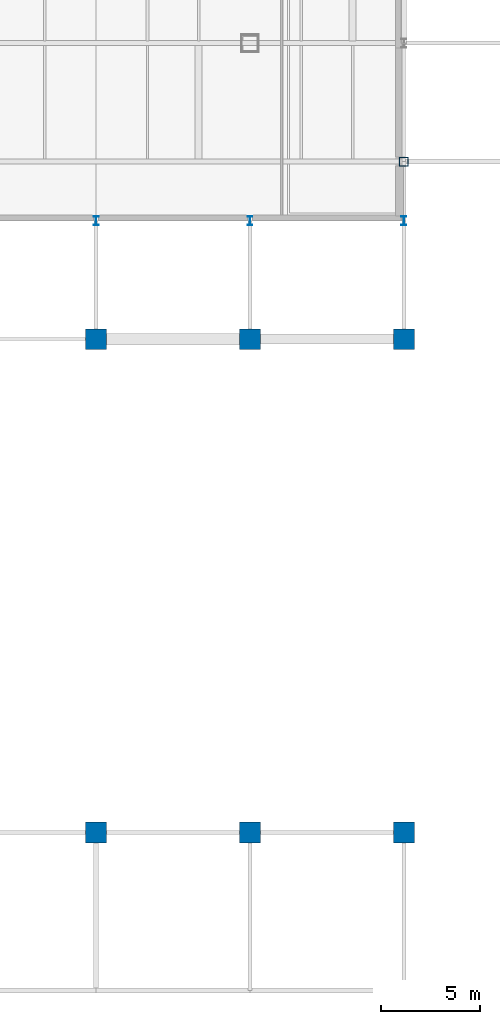
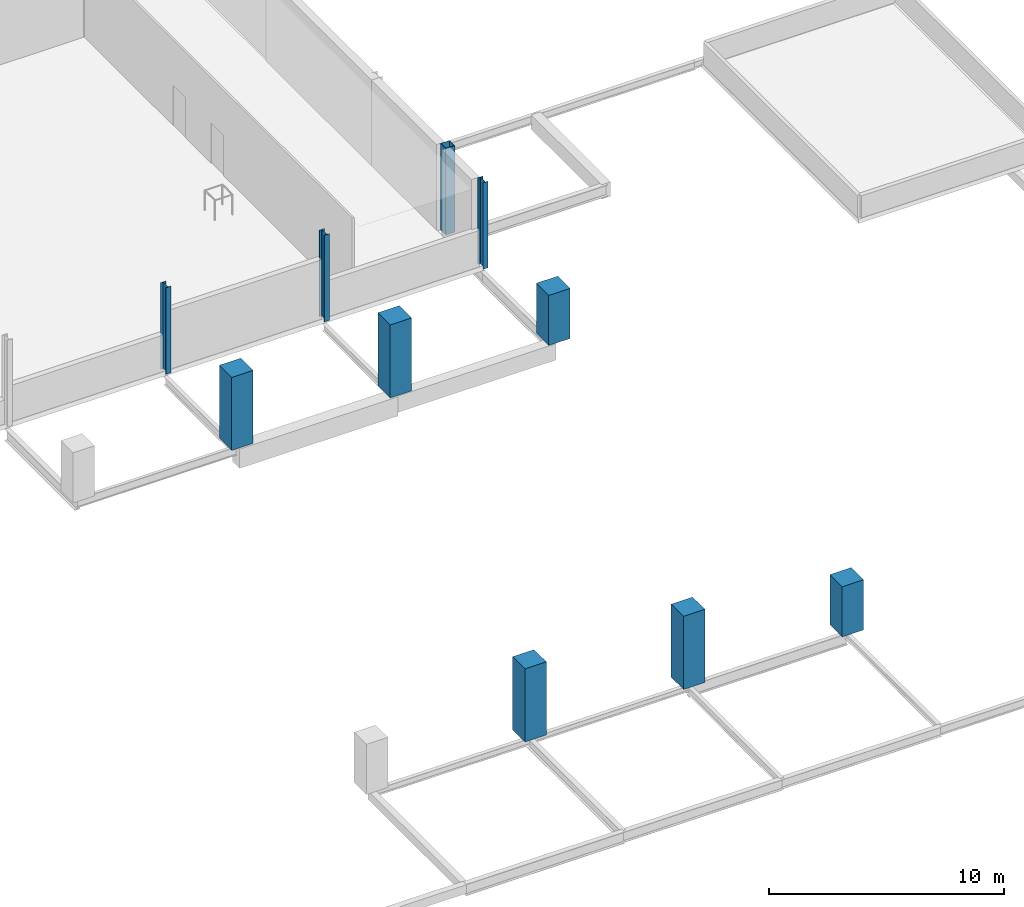
# One storey, part 3 of 38: 10 columns.
"""IFC4 building model written with IfcOpenShell, lengths in metres."""

from ifc_helpers import new_model, si_unit, derived_unit, direction, frame, origin, origin_2d, place, context, subcontext, project, spatial, rectangle, hollow_rectangle, i_section, extrude, material, material_profile, profile_set, type_object, element, save


model = new_model("IFC4")

# Units and contexts
model_context = context("Model", 3, precision=1e-05, world=origin(), true_north=direction((0.0, 1.0)))
body_context = subcontext(model_context, "Body", "Model", "MODEL_VIEW")
ifc_project = project(units=[si_unit("LENGTHUNIT", "METRE"), si_unit("AREAUNIT", "SQUARE_METRE"), si_unit("VOLUMEUNIT", "CUBIC_METRE"), si_unit("PLANEANGLEUNIT", "RADIAN"), si_unit("MASSUNIT", "GRAM", prefix="KILO"), derived_unit("THERMALTRANSMITTANCEUNIT", [(si_unit("POWERUNIT", "WATT"), 1), (si_unit("LENGTHUNIT", "METRE"), -2), (si_unit("THERMODYNAMICTEMPERATUREUNIT", "KELVIN"), -1)])], contexts=[model_context])

# Site, building, storey
site_placement = place(None, origin())
site = spatial("IfcSite", under=ifc_project, at=site_placement, CompositionType="ELEMENT")
building_placement = place(site_placement, origin())
building = spatial("IfcBuilding", under=site, at=building_placement, Name="Nallur Shell Playhouse", CompositionType="ELEMENT")
storey_placement = place(building_placement, frame((0.0, 0.0, 24.300048828125)))
storey = spatial("IfcBuildingStorey", under=building, at=storey_placement, Name="L06", CompositionType="ELEMENT", Elevation=24.300048828125)

# Columns
ifc_material_1 = material(Name="Concrete M45", Category="concrete")
ifc_material_profile_1 = material_profile(ifc_material_1, rectangle(XDim=1.050048828125, YDim=1.050048828125, at=origin_2d()), Name="RC 1050x1050")
ifc_profile_set_1 = profile_set([ifc_material_profile_1], Name="Concrete M45")
column_type_1 = type_object("IfcColumnType", Name="CL-RC-1050", PredefinedType="COLUMN", material=ifc_profile_set_1)
for number, where, z_axis, x_axis, name in (
    (1, (87.39990234375, 16.0, 0.0), (0.0, 0.0, 1.0), (1.0, 0.0, 0.0), "Column MC3S (L06)"),
    (2, (87.39990234375, 41.0, 0.0), (0.0, 0.0, 1.0), (1.0, 0.0, 0.0), "Column MC3N (L06)"),
    (3, (95.199951171875, 16.0, 0.0), (0.0, 0.0, 1.0), (1.0, 0.0, 0.0), "Column MC4S (L06)"),
    (4, (95.199951171875, 41.0, 0.0), (0.0, 0.0, 1.0), (1.0, 0.0, 0.0), "Column MC4N (L06)"),
):
    element("IfcColumn", number, at=place(storey_placement, frame(where, z_axis=z_axis, x_axis=x_axis)), inside=storey, type_object=column_type_1, Name=name, PredefinedType="COLUMN", context=body_context, shape_type="SweptSolid", body=[
        extrude(rectangle(XDim=1.050048828125, YDim=1.050048828125, at=origin_2d()), origin(), (0.0, 0.0, 1.0), 3.802490234375),
    ])
for number, where, z_axis, x_axis, name in (
    (5, (103.0, 16.0, 0.0), (0.0, 0.0, 1.0), (1.0, 0.0, 0.0), "Column MC5S (L06)"),
    (6, (103.0, 41.0, 0.0), (0.0, 0.0, 1.0), (1.0, 0.0, 0.0), "Column MC5N (L06)"),
):
    element("IfcColumn", number, at=place(storey_placement, frame(where, z_axis=z_axis, x_axis=x_axis)), inside=storey, type_object=column_type_1, Name=name, PredefinedType="COLUMN", context=body_context, shape_type="SweptSolid", body=[
        extrude(rectangle(XDim=1.050048828125, YDim=1.050048828125, at=origin_2d()), origin(), (0.0, 0.0, 1.0), 2.60791015625),
    ])
ifc_material_2 = material(Name="Steel E350", Category="steel")
ifc_material_profile_2 = material_profile(ifc_material_2, hollow_rectangle(XDim=0.449951171875, YDim=0.449951171875, WallThickness=0.02001953125, at=origin_2d()), Name="BOX 450x450x20")
ifc_profile_set_2 = profile_set([ifc_material_profile_2], Name="Steel E350")
column_type_2 = type_object("IfcColumnType", Name="CL-ST-BOX450", PredefinedType="COLUMN", material=ifc_profile_set_2)
column_placement = place(storey_placement, frame((103.0, 50.0, 0.0), z_axis=(0.0, 0.0, 1.0), x_axis=(1.0, 0.0, 0.0)))
element("IfcColumn", 7, at=column_placement, inside=storey, type_object=column_type_2, Name="Column 13-F (L06)", PredefinedType="COLUMN", context=body_context, shape_type="SweptSolid", body=[
    extrude(hollow_rectangle(XDim=0.449951171875, YDim=0.449951171875, WallThickness=0.02001953125, at=origin_2d()), origin(), (0.0, 0.0, 1.0), 4.5),
])
ifc_material_profile_3 = material_profile(ifc_material_2, i_section(OverallWidth=0.25, OverallDepth=0.449951171875, WebThickness=0.01123046875, FlangeThickness=0.013671875, FilletRadius=0.014892578125, at=origin_2d()), Name="ISHB 450")
ifc_profile_set_3 = profile_set([ifc_material_profile_3], Name="Steel E350")
column_type_3 = type_object("IfcColumnType", Name="CL-ST-ISHB450", PredefinedType="COLUMN", material=ifc_profile_set_3)
for number, where, z_axis, x_axis, name in (
    (8, (87.39990234375, 47.0, 0.0), (0.0, 0.0, 1.0), (1.0, 0.0, 0.0), "Column PROSC-4 (L06)"),
    (9, (95.199951171875, 47.0, 0.0), (0.0, 0.0, 1.0), (1.0, 0.0, 0.0), "Column PROSC-5 (L06)"),
    (10, (103.0, 47.0, 0.0), (0.0, 0.0, 1.0), (1.0, 0.0, 0.0), "Column PROSC-6 (L06)"),
):
    element("IfcColumn", number, at=place(storey_placement, frame(where, z_axis=z_axis, x_axis=x_axis)), inside=storey, type_object=column_type_3, Name=name, PredefinedType="COLUMN", context=body_context, shape_type="SweptSolid", body=[
        extrude(i_section(OverallWidth=0.25, OverallDepth=0.449951171875, WebThickness=0.01123046875, FlangeThickness=0.013671875, FilletRadius=0.014892578125, at=origin_2d()), origin(), (0.0, 0.0, 1.0), 4.5),
    ])

save(model, "model.ifc")
